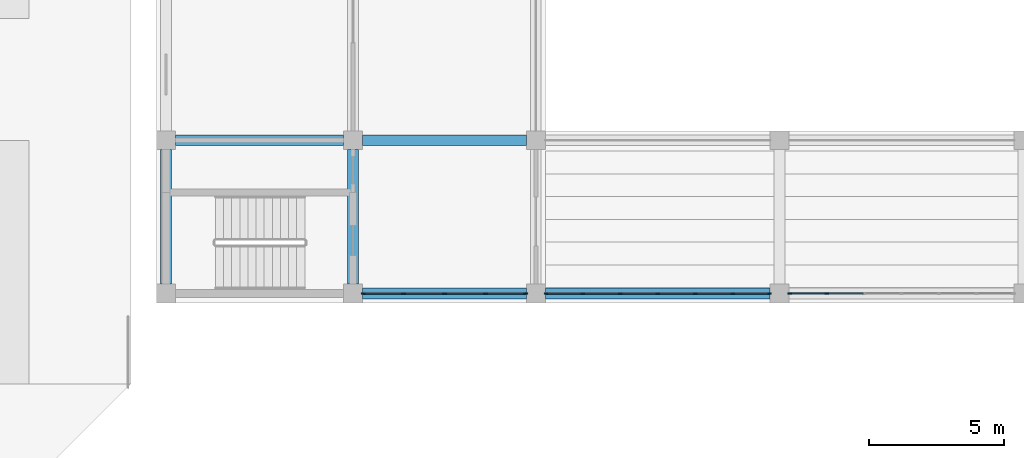
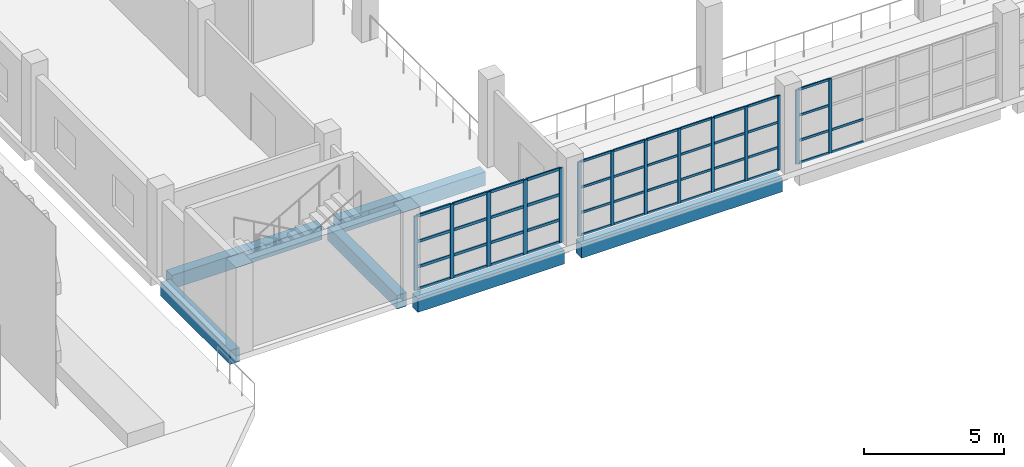
# One storey, part 2 of 36: 60 members, 6 beams, 3 elements without a shape of their own.
"""IFC4 building model written with IfcOpenShell, lengths in metres."""

from ifc_helpers import new_model, si_unit, direction, frame, origin, origin_2d, place, context, subcontext, project, spatial, rectangle, extrude, material, layer, layer_set, material_profile, profile_set, type_object, element, aggregate, save


model = new_model("IFC4")

# Units and contexts
model_context = context("Model", 3, precision=1e-05, world=origin(), true_north=direction((0.0, 1.0)))
body_context = subcontext(model_context, "Body", "Model", "MODEL_VIEW")
ifc_project = project(units=[si_unit("LENGTHUNIT", "METRE"), si_unit("AREAUNIT", "SQUARE_METRE"), si_unit("VOLUMEUNIT", "CUBIC_METRE"), si_unit("PLANEANGLEUNIT", "RADIAN"), si_unit("MASSUNIT", "GRAM", prefix="KILO")], contexts=[model_context])

# Site, building, storey
site_placement = place(None, origin())
site = spatial("IfcSite", under=ifc_project, at=site_placement, CompositionType="ELEMENT")
building_placement = place(site_placement, origin())
building = spatial("IfcBuilding", under=site, at=building_placement, Name="Corbel Stack Research Tower", CompositionType="ELEMENT")
storey_placement = place(building_placement, frame((0.0, 0.0, 7.199951171875)))
storey = spatial("IfcBuildingStorey", under=building, at=storey_placement, Name="L01", CompositionType="ELEMENT", Elevation=7.199951171875)

# Curtain wall, members
ifc_material_1 = material(Name="Aluminium", Category="aluminium")
ifc_layer_1 = layer(ifc_material_1, 0.14990234375)
ifc_layer_set_1 = layer_set([ifc_layer_1], Name="Aluminium")
curtain_wall_type_1 = type_object("IfcCurtainWallType", Name="CW5 main facade curtain wall", PredefinedType="NOTDEFINED", material=ifc_layer_set_1)
curtain_wall_1_placement = place(storey_placement, origin())
curtain_wall_1 = element("IfcCurtainWall", 1, at=curtain_wall_1_placement, inside=storey, type_object=curtain_wall_type_1, Name="Main facade curtain wall L01 1", PredefinedType="NOTDEFINED")
ifc_material_2 = material(Name="Aluminium", Category="aluminium")
ifc_material_profile_1 = material_profile(ifc_material_2, rectangle(XDim=0.06005859375, YDim=0.159912109375, at=origin_2d()), Name="Mullion 60 x 160")
ifc_profile_set_1 = profile_set([ifc_material_profile_1], Name="Aluminium")
member_type_1 = type_object("IfcMemberType", Name="CW5 mullion 60 x 160", PredefinedType="MULLION", material=ifc_profile_set_1)
member_1_placement = place(storey_placement, frame((44.580078125, -23.64990234375, 0.0), z_axis=(0.0, 0.0, 1.0), x_axis=(0.0, 1.0, 0.0)))
member_1 = element("IfcMember", 2, at=member_1_placement, type_object=member_type_1, Name="CW5 mullion 1", PredefinedType="MULLION", context=body_context, shape_type="SweptSolid", body=[
    extrude(rectangle(XDim=0.06005859375, YDim=0.159912109375, at=origin_2d()), origin(), (0.0, 0.0, 1.0), 3.25),
])
member_2_placement = place(storey_placement, frame((46.0625, -23.64990234375, 0.0), z_axis=(0.0, 0.0, 1.0), x_axis=(0.0, 1.0, 0.0)))
member_2 = element("IfcMember", 3, at=member_2_placement, type_object=member_type_1, Name="CW5 mullion 2", PredefinedType="MULLION", context=body_context, shape_type="SweptSolid", body=[
    extrude(rectangle(XDim=0.06005859375, YDim=0.159912109375, at=origin_2d()), origin(), (0.0, 0.0, 1.0), 3.25),
])
member_3_placement = place(storey_placement, frame((47.574951171875, -23.64990234375, 0.0), z_axis=(0.0, 0.0, 1.0), x_axis=(0.0, 1.0, 0.0)))
member_3 = element("IfcMember", 4, at=member_3_placement, type_object=member_type_1, Name="CW5 mullion 3", PredefinedType="MULLION", context=body_context, shape_type="SweptSolid", body=[
    extrude(rectangle(XDim=0.06005859375, YDim=0.159912109375, at=origin_2d()), origin(), (0.0, 0.0, 1.0), 3.25),
])
member_4_placement = place(storey_placement, frame((49.08740234375, -23.64990234375, 0.0), z_axis=(0.0, 0.0, 1.0), x_axis=(0.0, 1.0, 0.0)))
member_4 = element("IfcMember", 5, at=member_4_placement, type_object=member_type_1, Name="CW5 mullion 4", PredefinedType="MULLION", context=body_context, shape_type="SweptSolid", body=[
    extrude(rectangle(XDim=0.06005859375, YDim=0.159912109375, at=origin_2d()), origin(), (0.0, 0.0, 1.0), 3.25),
])
member_5_placement = place(storey_placement, frame((50.570068359375, -23.64990234375, 0.0), z_axis=(0.0, 0.0, 1.0), x_axis=(0.0, 1.0, 0.0)))
member_5 = element("IfcMember", 6, at=member_5_placement, type_object=member_type_1, Name="CW5 mullion 5", PredefinedType="MULLION", context=body_context, shape_type="SweptSolid", body=[
    extrude(rectangle(XDim=0.06005859375, YDim=0.159912109375, at=origin_2d()), origin(), (0.0, 0.0, 1.0), 3.25),
])
ifc_material_3 = material(Name="Aluminium", Category="aluminium")
ifc_material_profile_2 = material_profile(ifc_material_3, rectangle(XDim=0.06005859375, YDim=0.1201171875, at=origin_2d()), Name="Transom 60 x 120")
ifc_profile_set_2 = profile_set([ifc_material_profile_2], Name="Aluminium")
member_type_2 = type_object("IfcMemberType", Name="CW5 transom 60 x 120", PredefinedType="USERDEFINED", material=ifc_profile_set_2)
member_6_placement = place(storey_placement, frame((44.610107421875, -23.64990234375, 0.030029296875), z_axis=(1.0, 0.0, 0.0), x_axis=(0.0, 1.0, 0.0)))
member_6 = element("IfcMember", 7, at=member_6_placement, type_object=member_type_2, Name="CW5 transom 1.1", ObjectType="TRANSOM", PredefinedType="USERDEFINED", context=body_context, shape_type="SweptSolid", body=[
    extrude(rectangle(XDim=0.06005859375, YDim=0.1201171875, at=origin_2d()), origin(), (0.0, 0.0, 1.0), 1.42236328125),
])
member_7_placement = place(storey_placement, frame((44.610107421875, -23.64990234375, 1.0), z_axis=(1.0, 0.0, 0.0), x_axis=(0.0, 1.0, 0.0)))
member_7 = element("IfcMember", 8, at=member_7_placement, type_object=member_type_2, Name="CW5 transom 1.2", ObjectType="TRANSOM", PredefinedType="USERDEFINED", context=body_context, shape_type="SweptSolid", body=[
    extrude(rectangle(XDim=0.06005859375, YDim=0.1201171875, at=origin_2d()), origin(), (0.0, 0.0, 1.0), 1.42236328125),
])
member_8_placement = place(storey_placement, frame((44.610107421875, -23.64990234375, 2.10009765625), z_axis=(1.0, 0.0, 0.0), x_axis=(0.0, 1.0, 0.0)))
member_8 = element("IfcMember", 9, at=member_8_placement, type_object=member_type_2, Name="CW5 transom 1.3", ObjectType="TRANSOM", PredefinedType="USERDEFINED", context=body_context, shape_type="SweptSolid", body=[
    extrude(rectangle(XDim=0.06005859375, YDim=0.1201171875, at=origin_2d()), origin(), (0.0, 0.0, 1.0), 1.42236328125),
])
member_9_placement = place(storey_placement, frame((44.610107421875, -23.64990234375, 3.219970703125), z_axis=(1.0, 0.0, 0.0), x_axis=(0.0, 1.0, 0.0)))
member_9 = element("IfcMember", 10, at=member_9_placement, type_object=member_type_2, Name="CW5 transom 1.4", ObjectType="TRANSOM", PredefinedType="USERDEFINED", context=body_context, shape_type="SweptSolid", body=[
    extrude(rectangle(XDim=0.06005859375, YDim=0.1201171875, at=origin_2d()), origin(), (0.0, 0.0, 1.0), 1.42236328125),
])
member_10_placement = place(storey_placement, frame((46.092529296875, -23.64990234375, 0.030029296875), z_axis=(1.0, 0.0, 0.0), x_axis=(0.0, 1.0, 0.0)))
member_10 = element("IfcMember", 11, at=member_10_placement, type_object=member_type_2, Name="CW5 transom 2.1", ObjectType="TRANSOM", PredefinedType="USERDEFINED", context=body_context, shape_type="SweptSolid", body=[
    extrude(rectangle(XDim=0.06005859375, YDim=0.1201171875, at=origin_2d()), origin(), (0.0, 0.0, 1.0), 1.452392578125),
])
member_11_placement = place(storey_placement, frame((46.092529296875, -23.64990234375, 1.0), z_axis=(1.0, 0.0, 0.0), x_axis=(0.0, 1.0, 0.0)))
member_11 = element("IfcMember", 12, at=member_11_placement, type_object=member_type_2, Name="CW5 transom 2.2", ObjectType="TRANSOM", PredefinedType="USERDEFINED", context=body_context, shape_type="SweptSolid", body=[
    extrude(rectangle(XDim=0.06005859375, YDim=0.1201171875, at=origin_2d()), origin(), (0.0, 0.0, 1.0), 1.452392578125),
])
member_12_placement = place(storey_placement, frame((46.092529296875, -23.64990234375, 2.10009765625), z_axis=(1.0, 0.0, 0.0), x_axis=(0.0, 1.0, 0.0)))
member_12 = element("IfcMember", 13, at=member_12_placement, type_object=member_type_2, Name="CW5 transom 2.3", ObjectType="TRANSOM", PredefinedType="USERDEFINED", context=body_context, shape_type="SweptSolid", body=[
    extrude(rectangle(XDim=0.06005859375, YDim=0.1201171875, at=origin_2d()), origin(), (0.0, 0.0, 1.0), 1.452392578125),
])
member_13_placement = place(storey_placement, frame((46.092529296875, -23.64990234375, 3.219970703125), z_axis=(1.0, 0.0, 0.0), x_axis=(0.0, 1.0, 0.0)))
member_13 = element("IfcMember", 14, at=member_13_placement, type_object=member_type_2, Name="CW5 transom 2.4", ObjectType="TRANSOM", PredefinedType="USERDEFINED", context=body_context, shape_type="SweptSolid", body=[
    extrude(rectangle(XDim=0.06005859375, YDim=0.1201171875, at=origin_2d()), origin(), (0.0, 0.0, 1.0), 1.452392578125),
])
member_14_placement = place(storey_placement, frame((47.60498046875, -23.64990234375, 0.030029296875), z_axis=(1.0, 0.0, 0.0), x_axis=(0.0, 1.0, 0.0)))
member_14 = element("IfcMember", 15, at=member_14_placement, type_object=member_type_2, Name="CW5 transom 3.1", ObjectType="TRANSOM", PredefinedType="USERDEFINED", context=body_context, shape_type="SweptSolid", body=[
    extrude(rectangle(XDim=0.06005859375, YDim=0.1201171875, at=origin_2d()), origin(), (0.0, 0.0, 1.0), 1.45263671875),
])
member_15_placement = place(storey_placement, frame((47.60498046875, -23.64990234375, 1.0), z_axis=(1.0, 0.0, 0.0), x_axis=(0.0, 1.0, 0.0)))
member_15 = element("IfcMember", 16, at=member_15_placement, type_object=member_type_2, Name="CW5 transom 3.2", ObjectType="TRANSOM", PredefinedType="USERDEFINED", context=body_context, shape_type="SweptSolid", body=[
    extrude(rectangle(XDim=0.06005859375, YDim=0.1201171875, at=origin_2d()), origin(), (0.0, 0.0, 1.0), 1.45263671875),
])
member_16_placement = place(storey_placement, frame((47.60498046875, -23.64990234375, 2.10009765625), z_axis=(1.0, 0.0, 0.0), x_axis=(0.0, 1.0, 0.0)))
member_16 = element("IfcMember", 17, at=member_16_placement, type_object=member_type_2, Name="CW5 transom 3.3", ObjectType="TRANSOM", PredefinedType="USERDEFINED", context=body_context, shape_type="SweptSolid", body=[
    extrude(rectangle(XDim=0.06005859375, YDim=0.1201171875, at=origin_2d()), origin(), (0.0, 0.0, 1.0), 1.45263671875),
])
member_17_placement = place(storey_placement, frame((47.60498046875, -23.64990234375, 3.219970703125), z_axis=(1.0, 0.0, 0.0), x_axis=(0.0, 1.0, 0.0)))
member_17 = element("IfcMember", 18, at=member_17_placement, type_object=member_type_2, Name="CW5 transom 3.4", ObjectType="TRANSOM", PredefinedType="USERDEFINED", context=body_context, shape_type="SweptSolid", body=[
    extrude(rectangle(XDim=0.06005859375, YDim=0.1201171875, at=origin_2d()), origin(), (0.0, 0.0, 1.0), 1.45263671875),
])
member_18_placement = place(storey_placement, frame((49.117431640625, -23.64990234375, 0.030029296875), z_axis=(1.0, 0.0, 0.0), x_axis=(0.0, 1.0, 0.0)))
member_18 = element("IfcMember", 19, at=member_18_placement, type_object=member_type_2, Name="CW5 transom 4.1", ObjectType="TRANSOM", PredefinedType="USERDEFINED", context=body_context, shape_type="SweptSolid", body=[
    extrude(rectangle(XDim=0.06005859375, YDim=0.1201171875, at=origin_2d()), origin(), (0.0, 0.0, 1.0), 1.422607421875),
])
member_19_placement = place(storey_placement, frame((49.117431640625, -23.64990234375, 1.0), z_axis=(1.0, 0.0, 0.0), x_axis=(0.0, 1.0, 0.0)))
member_19 = element("IfcMember", 20, at=member_19_placement, type_object=member_type_2, Name="CW5 transom 4.2", ObjectType="TRANSOM", PredefinedType="USERDEFINED", context=body_context, shape_type="SweptSolid", body=[
    extrude(rectangle(XDim=0.06005859375, YDim=0.1201171875, at=origin_2d()), origin(), (0.0, 0.0, 1.0), 1.422607421875),
])
member_20_placement = place(storey_placement, frame((49.117431640625, -23.64990234375, 2.10009765625), z_axis=(1.0, 0.0, 0.0), x_axis=(0.0, 1.0, 0.0)))
member_20 = element("IfcMember", 21, at=member_20_placement, type_object=member_type_2, Name="CW5 transom 4.3", ObjectType="TRANSOM", PredefinedType="USERDEFINED", context=body_context, shape_type="SweptSolid", body=[
    extrude(rectangle(XDim=0.06005859375, YDim=0.1201171875, at=origin_2d()), origin(), (0.0, 0.0, 1.0), 1.422607421875),
])
member_21_placement = place(storey_placement, frame((49.117431640625, -23.64990234375, 3.219970703125), z_axis=(1.0, 0.0, 0.0), x_axis=(0.0, 1.0, 0.0)))
member_21 = element("IfcMember", 22, at=member_21_placement, type_object=member_type_2, Name="CW5 transom 4.4", ObjectType="TRANSOM", PredefinedType="USERDEFINED", context=body_context, shape_type="SweptSolid", body=[
    extrude(rectangle(XDim=0.06005859375, YDim=0.1201171875, at=origin_2d()), origin(), (0.0, 0.0, 1.0), 1.422607421875),
])
aggregate(curtain_wall_1, [member_1, member_2, member_3, member_4, member_5, member_6, member_7, member_8, member_9, member_10, member_11, member_12, member_13, member_14, member_15, member_16, member_17, member_18, member_19, member_20, member_21])

ifc_material_4 = material(Name="Aluminium", Category="aluminium")
ifc_layer_2 = layer(ifc_material_4, 0.139892578125)
ifc_layer_set_2 = layer_set([ifc_layer_2], Name="Aluminium")
curtain_wall_type_2 = type_object("IfcCurtainWallType", Name="CW6 gallery curtain wall", PredefinedType="NOTDEFINED", material=ifc_layer_set_2)
curtain_wall_2_placement = place(storey_placement, origin())
curtain_wall_2 = element("IfcCurtainWall", 23, at=curtain_wall_2_placement, inside=storey, type_object=curtain_wall_type_2, Name="Gallery curtain wall L01 5", PredefinedType="NOTDEFINED")
ifc_material_5 = material(Name="Aluminium", Category="aluminium")
ifc_material_profile_3 = material_profile(ifc_material_5, rectangle(XDim=0.050048828125, YDim=0.139892578125, at=origin_2d()), Name="Mullion 50 x 140")
ifc_profile_set_3 = profile_set([ifc_material_profile_3], Name="Aluminium")
member_type_3 = type_object("IfcMemberType", Name="CW6 mullion 50 x 140", PredefinedType="MULLION", material=ifc_profile_set_3)
member_22_placement = place(storey_placement, frame((51.324951171875, -23.64990234375, 0.0), z_axis=(0.0, 0.0, 1.0), x_axis=(0.0, 1.0, 0.0)))
member_22 = element("IfcMember", 24, at=member_22_placement, type_object=member_type_3, Name="CW6 mullion 1", PredefinedType="MULLION", context=body_context, shape_type="SweptSolid", body=[
    extrude(rectangle(XDim=0.050048828125, YDim=0.139892578125, at=origin_2d()), origin(), (0.0, 0.0, 1.0), 3.25),
])
member_23_placement = place(storey_placement, frame((52.683349609375, -23.64990234375, 0.0), z_axis=(0.0, 0.0, 1.0), x_axis=(0.0, 1.0, 0.0)))
member_23 = element("IfcMember", 25, at=member_23_placement, type_object=member_type_3, Name="CW6 mullion 2", PredefinedType="MULLION", context=body_context, shape_type="SweptSolid", body=[
    extrude(rectangle(XDim=0.050048828125, YDim=0.139892578125, at=origin_2d()), origin(), (0.0, 0.0, 1.0), 3.25),
])
member_24_placement = place(storey_placement, frame((54.066650390625, -23.64990234375, 0.0), z_axis=(0.0, 0.0, 1.0), x_axis=(0.0, 1.0, 0.0)))
member_24 = element("IfcMember", 26, at=member_24_placement, type_object=member_type_3, Name="CW6 mullion 3", PredefinedType="MULLION", context=body_context, shape_type="SweptSolid", body=[
    extrude(rectangle(XDim=0.050048828125, YDim=0.139892578125, at=origin_2d()), origin(), (0.0, 0.0, 1.0), 3.25),
])
member_25_placement = place(storey_placement, frame((55.449951171875, -23.64990234375, 0.0), z_axis=(0.0, 0.0, 1.0), x_axis=(0.0, 1.0, 0.0)))
member_25 = element("IfcMember", 27, at=member_25_placement, type_object=member_type_3, Name="CW6 mullion 4", PredefinedType="MULLION", context=body_context, shape_type="SweptSolid", body=[
    extrude(rectangle(XDim=0.050048828125, YDim=0.139892578125, at=origin_2d()), origin(), (0.0, 0.0, 1.0), 3.25),
])
member_26_placement = place(storey_placement, frame((56.833251953125, -23.64990234375, 0.0), z_axis=(0.0, 0.0, 1.0), x_axis=(0.0, 1.0, 0.0)))
member_26 = element("IfcMember", 28, at=member_26_placement, type_object=member_type_3, Name="CW6 mullion 5", PredefinedType="MULLION", context=body_context, shape_type="SweptSolid", body=[
    extrude(rectangle(XDim=0.050048828125, YDim=0.139892578125, at=origin_2d()), origin(), (0.0, 0.0, 1.0), 3.25),
])
member_27_placement = place(storey_placement, frame((58.216552734375, -23.64990234375, 0.0), z_axis=(0.0, 0.0, 1.0), x_axis=(0.0, 1.0, 0.0)))
member_27 = element("IfcMember", 29, at=member_27_placement, type_object=member_type_3, Name="CW6 mullion 6", PredefinedType="MULLION", context=body_context, shape_type="SweptSolid", body=[
    extrude(rectangle(XDim=0.050048828125, YDim=0.139892578125, at=origin_2d()), origin(), (0.0, 0.0, 1.0), 3.25),
])
member_28_placement = place(storey_placement, frame((59.574951171875, -23.64990234375, 0.0), z_axis=(0.0, 0.0, 1.0), x_axis=(0.0, 1.0, 0.0)))
member_28 = element("IfcMember", 30, at=member_28_placement, type_object=member_type_3, Name="CW6 mullion 7", PredefinedType="MULLION", context=body_context, shape_type="SweptSolid", body=[
    extrude(rectangle(XDim=0.050048828125, YDim=0.139892578125, at=origin_2d()), origin(), (0.0, 0.0, 1.0), 3.25),
])

curtain_wall_3_placement = place(storey_placement, origin())
curtain_wall_3 = element("IfcCurtainWall", 31, at=curtain_wall_3_placement, inside=storey, type_object=curtain_wall_type_2, Name="Gallery curtain wall L01 6", PredefinedType="NOTDEFINED")
member_29_placement = place(storey_placement, frame((60.324951171875, -23.64990234375, 0.0), z_axis=(0.0, 0.0, 1.0), x_axis=(0.0, 1.0, 0.0)))
member_29 = element("IfcMember", 32, at=member_29_placement, type_object=member_type_3, Name="CW6 mullion 1", PredefinedType="MULLION", context=body_context, shape_type="SweptSolid", body=[
    extrude(rectangle(XDim=0.050048828125, YDim=0.139892578125, at=origin_2d()), origin(), (0.0, 0.0, 1.0), 3.25),
])
member_30_placement = place(storey_placement, frame((61.683349609375, -23.64990234375, 0.0), z_axis=(0.0, 0.0, 1.0), x_axis=(0.0, 1.0, 0.0)))
member_30 = element("IfcMember", 33, at=member_30_placement, type_object=member_type_3, Name="CW6 mullion 2", PredefinedType="MULLION", context=body_context, shape_type="SweptSolid", body=[
    extrude(rectangle(XDim=0.050048828125, YDim=0.139892578125, at=origin_2d()), origin(), (0.0, 0.0, 1.0), 3.25),
])

# Member
ifc_material_6 = material(Name="Aluminium", Category="aluminium")
ifc_material_profile_4 = material_profile(ifc_material_6, rectangle(XDim=0.050048828125, YDim=0.10009765625, at=origin_2d()), Name="Transom 50 x 100")
ifc_profile_set_4 = profile_set([ifc_material_profile_4], Name="Aluminium")
member_type_4 = type_object("IfcMemberType", Name="CW6 transom 50 x 100", PredefinedType="USERDEFINED", material=ifc_profile_set_4)
member_31_placement = place(storey_placement, frame((51.35009765625, -23.64990234375, 0.025146484375), z_axis=(1.0, 0.0, 0.0), x_axis=(0.0, 1.0, 0.0)))
member_31 = element("IfcMember", 34, at=member_31_placement, type_object=member_type_4, Name="CW6 transom 1.1", ObjectType="TRANSOM", PredefinedType="USERDEFINED", context=body_context, shape_type="SweptSolid", body=[
    extrude(rectangle(XDim=0.050048828125, YDim=0.10009765625, at=origin_2d()), origin(), (0.0, 0.0, 1.0), 1.308349609375),
])

member_32_placement = place(storey_placement, frame((51.35009765625, -23.64990234375, 1.0), z_axis=(1.0, 0.0, 0.0), x_axis=(0.0, 1.0, 0.0)))
member_32 = element("IfcMember", 35, at=member_32_placement, type_object=member_type_4, Name="CW6 transom 1.2", ObjectType="TRANSOM", PredefinedType="USERDEFINED", context=body_context, shape_type="SweptSolid", body=[
    extrude(rectangle(XDim=0.050048828125, YDim=0.10009765625, at=origin_2d()), origin(), (0.0, 0.0, 1.0), 1.308349609375),
])

member_33_placement = place(storey_placement, frame((51.35009765625, -23.64990234375, 2.10009765625), z_axis=(1.0, 0.0, 0.0), x_axis=(0.0, 1.0, 0.0)))
member_33 = element("IfcMember", 36, at=member_33_placement, type_object=member_type_4, Name="CW6 transom 1.3", ObjectType="TRANSOM", PredefinedType="USERDEFINED", context=body_context, shape_type="SweptSolid", body=[
    extrude(rectangle(XDim=0.050048828125, YDim=0.10009765625, at=origin_2d()), origin(), (0.0, 0.0, 1.0), 1.308349609375),
])

member_34_placement = place(storey_placement, frame((51.35009765625, -23.64990234375, 3.22509765625), z_axis=(1.0, 0.0, 0.0), x_axis=(0.0, 1.0, 0.0)))
member_34 = element("IfcMember", 37, at=member_34_placement, type_object=member_type_4, Name="CW6 transom 1.4", ObjectType="TRANSOM", PredefinedType="USERDEFINED", context=body_context, shape_type="SweptSolid", body=[
    extrude(rectangle(XDim=0.050048828125, YDim=0.10009765625, at=origin_2d()), origin(), (0.0, 0.0, 1.0), 1.308349609375),
])

member_35_placement = place(storey_placement, frame((52.708251953125, -23.64990234375, 0.025146484375), z_axis=(1.0, 0.0, 0.0), x_axis=(0.0, 1.0, 0.0)))
member_35 = element("IfcMember", 38, at=member_35_placement, type_object=member_type_4, Name="CW6 transom 2.1", ObjectType="TRANSOM", PredefinedType="USERDEFINED", context=body_context, shape_type="SweptSolid", body=[
    extrude(rectangle(XDim=0.050048828125, YDim=0.10009765625, at=origin_2d()), origin(), (0.0, 0.0, 1.0), 1.33349609375),
])

member_36_placement = place(storey_placement, frame((52.708251953125, -23.64990234375, 1.0), z_axis=(1.0, 0.0, 0.0), x_axis=(0.0, 1.0, 0.0)))
member_36 = element("IfcMember", 39, at=member_36_placement, type_object=member_type_4, Name="CW6 transom 2.2", ObjectType="TRANSOM", PredefinedType="USERDEFINED", context=body_context, shape_type="SweptSolid", body=[
    extrude(rectangle(XDim=0.050048828125, YDim=0.10009765625, at=origin_2d()), origin(), (0.0, 0.0, 1.0), 1.33349609375),
])

member_37_placement = place(storey_placement, frame((52.708251953125, -23.64990234375, 2.10009765625), z_axis=(1.0, 0.0, 0.0), x_axis=(0.0, 1.0, 0.0)))
member_37 = element("IfcMember", 40, at=member_37_placement, type_object=member_type_4, Name="CW6 transom 2.3", ObjectType="TRANSOM", PredefinedType="USERDEFINED", context=body_context, shape_type="SweptSolid", body=[
    extrude(rectangle(XDim=0.050048828125, YDim=0.10009765625, at=origin_2d()), origin(), (0.0, 0.0, 1.0), 1.33349609375),
])

member_38_placement = place(storey_placement, frame((52.708251953125, -23.64990234375, 3.22509765625), z_axis=(1.0, 0.0, 0.0), x_axis=(0.0, 1.0, 0.0)))
member_38 = element("IfcMember", 41, at=member_38_placement, type_object=member_type_4, Name="CW6 transom 2.4", ObjectType="TRANSOM", PredefinedType="USERDEFINED", context=body_context, shape_type="SweptSolid", body=[
    extrude(rectangle(XDim=0.050048828125, YDim=0.10009765625, at=origin_2d()), origin(), (0.0, 0.0, 1.0), 1.33349609375),
])

member_39_placement = place(storey_placement, frame((54.091552734375, -23.64990234375, 0.025146484375), z_axis=(1.0, 0.0, 0.0), x_axis=(0.0, 1.0, 0.0)))
member_39 = element("IfcMember", 42, at=member_39_placement, type_object=member_type_4, Name="CW6 transom 3.1", ObjectType="TRANSOM", PredefinedType="USERDEFINED", context=body_context, shape_type="SweptSolid", body=[
    extrude(rectangle(XDim=0.050048828125, YDim=0.10009765625, at=origin_2d()), origin(), (0.0, 0.0, 1.0), 1.33349609375),
])

member_40_placement = place(storey_placement, frame((54.091552734375, -23.64990234375, 1.0), z_axis=(1.0, 0.0, 0.0), x_axis=(0.0, 1.0, 0.0)))
member_40 = element("IfcMember", 43, at=member_40_placement, type_object=member_type_4, Name="CW6 transom 3.2", ObjectType="TRANSOM", PredefinedType="USERDEFINED", context=body_context, shape_type="SweptSolid", body=[
    extrude(rectangle(XDim=0.050048828125, YDim=0.10009765625, at=origin_2d()), origin(), (0.0, 0.0, 1.0), 1.33349609375),
])

member_41_placement = place(storey_placement, frame((54.091552734375, -23.64990234375, 2.10009765625), z_axis=(1.0, 0.0, 0.0), x_axis=(0.0, 1.0, 0.0)))
member_41 = element("IfcMember", 44, at=member_41_placement, type_object=member_type_4, Name="CW6 transom 3.3", ObjectType="TRANSOM", PredefinedType="USERDEFINED", context=body_context, shape_type="SweptSolid", body=[
    extrude(rectangle(XDim=0.050048828125, YDim=0.10009765625, at=origin_2d()), origin(), (0.0, 0.0, 1.0), 1.33349609375),
])

member_42_placement = place(storey_placement, frame((54.091552734375, -23.64990234375, 3.22509765625), z_axis=(1.0, 0.0, 0.0), x_axis=(0.0, 1.0, 0.0)))
member_42 = element("IfcMember", 45, at=member_42_placement, type_object=member_type_4, Name="CW6 transom 3.4", ObjectType="TRANSOM", PredefinedType="USERDEFINED", context=body_context, shape_type="SweptSolid", body=[
    extrude(rectangle(XDim=0.050048828125, YDim=0.10009765625, at=origin_2d()), origin(), (0.0, 0.0, 1.0), 1.33349609375),
])

member_43_placement = place(storey_placement, frame((55.47509765625, -23.64990234375, 0.025146484375), z_axis=(1.0, 0.0, 0.0), x_axis=(0.0, 1.0, 0.0)))
member_43 = element("IfcMember", 46, at=member_43_placement, type_object=member_type_4, Name="CW6 transom 4.1", ObjectType="TRANSOM", PredefinedType="USERDEFINED", context=body_context, shape_type="SweptSolid", body=[
    extrude(rectangle(XDim=0.050048828125, YDim=0.10009765625, at=origin_2d()), origin(), (0.0, 0.0, 1.0), 1.333251953125),
])

member_44_placement = place(storey_placement, frame((55.47509765625, -23.64990234375, 1.0), z_axis=(1.0, 0.0, 0.0), x_axis=(0.0, 1.0, 0.0)))
member_44 = element("IfcMember", 47, at=member_44_placement, type_object=member_type_4, Name="CW6 transom 4.2", ObjectType="TRANSOM", PredefinedType="USERDEFINED", context=body_context, shape_type="SweptSolid", body=[
    extrude(rectangle(XDim=0.050048828125, YDim=0.10009765625, at=origin_2d()), origin(), (0.0, 0.0, 1.0), 1.333251953125),
])

member_45_placement = place(storey_placement, frame((55.47509765625, -23.64990234375, 2.10009765625), z_axis=(1.0, 0.0, 0.0), x_axis=(0.0, 1.0, 0.0)))
member_45 = element("IfcMember", 48, at=member_45_placement, type_object=member_type_4, Name="CW6 transom 4.3", ObjectType="TRANSOM", PredefinedType="USERDEFINED", context=body_context, shape_type="SweptSolid", body=[
    extrude(rectangle(XDim=0.050048828125, YDim=0.10009765625, at=origin_2d()), origin(), (0.0, 0.0, 1.0), 1.333251953125),
])

member_46_placement = place(storey_placement, frame((55.47509765625, -23.64990234375, 3.22509765625), z_axis=(1.0, 0.0, 0.0), x_axis=(0.0, 1.0, 0.0)))
member_46 = element("IfcMember", 49, at=member_46_placement, type_object=member_type_4, Name="CW6 transom 4.4", ObjectType="TRANSOM", PredefinedType="USERDEFINED", context=body_context, shape_type="SweptSolid", body=[
    extrude(rectangle(XDim=0.050048828125, YDim=0.10009765625, at=origin_2d()), origin(), (0.0, 0.0, 1.0), 1.333251953125),
])

member_47_placement = place(storey_placement, frame((56.8583984375, -23.64990234375, 0.025146484375), z_axis=(1.0, 0.0, 0.0), x_axis=(0.0, 1.0, 0.0)))
member_47 = element("IfcMember", 50, at=member_47_placement, type_object=member_type_4, Name="CW6 transom 5.1", ObjectType="TRANSOM", PredefinedType="USERDEFINED", context=body_context, shape_type="SweptSolid", body=[
    extrude(rectangle(XDim=0.050048828125, YDim=0.10009765625, at=origin_2d()), origin(), (0.0, 0.0, 1.0), 1.333251953125),
])

member_48_placement = place(storey_placement, frame((56.8583984375, -23.64990234375, 1.0), z_axis=(1.0, 0.0, 0.0), x_axis=(0.0, 1.0, 0.0)))
member_48 = element("IfcMember", 51, at=member_48_placement, type_object=member_type_4, Name="CW6 transom 5.2", ObjectType="TRANSOM", PredefinedType="USERDEFINED", context=body_context, shape_type="SweptSolid", body=[
    extrude(rectangle(XDim=0.050048828125, YDim=0.10009765625, at=origin_2d()), origin(), (0.0, 0.0, 1.0), 1.333251953125),
])

member_49_placement = place(storey_placement, frame((56.8583984375, -23.64990234375, 2.10009765625), z_axis=(1.0, 0.0, 0.0), x_axis=(0.0, 1.0, 0.0)))
member_49 = element("IfcMember", 52, at=member_49_placement, type_object=member_type_4, Name="CW6 transom 5.3", ObjectType="TRANSOM", PredefinedType="USERDEFINED", context=body_context, shape_type="SweptSolid", body=[
    extrude(rectangle(XDim=0.050048828125, YDim=0.10009765625, at=origin_2d()), origin(), (0.0, 0.0, 1.0), 1.333251953125),
])

member_50_placement = place(storey_placement, frame((56.8583984375, -23.64990234375, 3.22509765625), z_axis=(1.0, 0.0, 0.0), x_axis=(0.0, 1.0, 0.0)))
member_50 = element("IfcMember", 53, at=member_50_placement, type_object=member_type_4, Name="CW6 transom 5.4", ObjectType="TRANSOM", PredefinedType="USERDEFINED", context=body_context, shape_type="SweptSolid", body=[
    extrude(rectangle(XDim=0.050048828125, YDim=0.10009765625, at=origin_2d()), origin(), (0.0, 0.0, 1.0), 1.333251953125),
])

member_51_placement = place(storey_placement, frame((58.24169921875, -23.64990234375, 0.025146484375), z_axis=(1.0, 0.0, 0.0), x_axis=(0.0, 1.0, 0.0)))
member_51 = element("IfcMember", 54, at=member_51_placement, type_object=member_type_4, Name="CW6 transom 6.1", ObjectType="TRANSOM", PredefinedType="USERDEFINED", context=body_context, shape_type="SweptSolid", body=[
    extrude(rectangle(XDim=0.050048828125, YDim=0.10009765625, at=origin_2d()), origin(), (0.0, 0.0, 1.0), 1.308349609375),
])

member_52_placement = place(storey_placement, frame((58.24169921875, -23.64990234375, 1.0), z_axis=(1.0, 0.0, 0.0), x_axis=(0.0, 1.0, 0.0)))
member_52 = element("IfcMember", 55, at=member_52_placement, type_object=member_type_4, Name="CW6 transom 6.2", ObjectType="TRANSOM", PredefinedType="USERDEFINED", context=body_context, shape_type="SweptSolid", body=[
    extrude(rectangle(XDim=0.050048828125, YDim=0.10009765625, at=origin_2d()), origin(), (0.0, 0.0, 1.0), 1.308349609375),
])

member_53_placement = place(storey_placement, frame((58.24169921875, -23.64990234375, 2.10009765625), z_axis=(1.0, 0.0, 0.0), x_axis=(0.0, 1.0, 0.0)))
member_53 = element("IfcMember", 56, at=member_53_placement, type_object=member_type_4, Name="CW6 transom 6.3", ObjectType="TRANSOM", PredefinedType="USERDEFINED", context=body_context, shape_type="SweptSolid", body=[
    extrude(rectangle(XDim=0.050048828125, YDim=0.10009765625, at=origin_2d()), origin(), (0.0, 0.0, 1.0), 1.308349609375),
])

member_54_placement = place(storey_placement, frame((58.24169921875, -23.64990234375, 3.22509765625), z_axis=(1.0, 0.0, 0.0), x_axis=(0.0, 1.0, 0.0)))
member_54 = element("IfcMember", 57, at=member_54_placement, type_object=member_type_4, Name="CW6 transom 6.4", ObjectType="TRANSOM", PredefinedType="USERDEFINED", context=body_context, shape_type="SweptSolid", body=[
    extrude(rectangle(XDim=0.050048828125, YDim=0.10009765625, at=origin_2d()), origin(), (0.0, 0.0, 1.0), 1.308349609375),
])

aggregate(curtain_wall_2, [member_22, member_23, member_24, member_25, member_26, member_27, member_28, member_31, member_32, member_33, member_34, member_35, member_36, member_37, member_38, member_39, member_40, member_41, member_42, member_43, member_44, member_45, member_46, member_47, member_48, member_49, member_50, member_51, member_52, member_53, member_54])

member_55_placement = place(storey_placement, frame((60.35009765625, -23.64990234375, 0.025146484375), z_axis=(1.0, 0.0, 0.0), x_axis=(0.0, 1.0, 0.0)))
member_55 = element("IfcMember", 58, at=member_55_placement, type_object=member_type_4, Name="CW6 transom 1.1", ObjectType="TRANSOM", PredefinedType="USERDEFINED", context=body_context, shape_type="SweptSolid", body=[
    extrude(rectangle(XDim=0.050048828125, YDim=0.10009765625, at=origin_2d()), origin(), (0.0, 0.0, 1.0), 1.308349609375),
])

member_56_placement = place(storey_placement, frame((60.35009765625, -23.64990234375, 1.0), z_axis=(1.0, 0.0, 0.0), x_axis=(0.0, 1.0, 0.0)))
member_56 = element("IfcMember", 59, at=member_56_placement, type_object=member_type_4, Name="CW6 transom 1.2", ObjectType="TRANSOM", PredefinedType="USERDEFINED", context=body_context, shape_type="SweptSolid", body=[
    extrude(rectangle(XDim=0.050048828125, YDim=0.10009765625, at=origin_2d()), origin(), (0.0, 0.0, 1.0), 1.308349609375),
])

member_57_placement = place(storey_placement, frame((60.35009765625, -23.64990234375, 2.10009765625), z_axis=(1.0, 0.0, 0.0), x_axis=(0.0, 1.0, 0.0)))
member_57 = element("IfcMember", 60, at=member_57_placement, type_object=member_type_4, Name="CW6 transom 1.3", ObjectType="TRANSOM", PredefinedType="USERDEFINED", context=body_context, shape_type="SweptSolid", body=[
    extrude(rectangle(XDim=0.050048828125, YDim=0.10009765625, at=origin_2d()), origin(), (0.0, 0.0, 1.0), 1.308349609375),
])

member_58_placement = place(storey_placement, frame((60.35009765625, -23.64990234375, 3.22509765625), z_axis=(1.0, 0.0, 0.0), x_axis=(0.0, 1.0, 0.0)))
member_58 = element("IfcMember", 61, at=member_58_placement, type_object=member_type_4, Name="CW6 transom 1.4", ObjectType="TRANSOM", PredefinedType="USERDEFINED", context=body_context, shape_type="SweptSolid", body=[
    extrude(rectangle(XDim=0.050048828125, YDim=0.10009765625, at=origin_2d()), origin(), (0.0, 0.0, 1.0), 1.308349609375),
])

member_59_placement = place(storey_placement, frame((61.708251953125, -23.64990234375, 0.025146484375), z_axis=(1.0, 0.0, 0.0), x_axis=(0.0, 1.0, 0.0)))
member_59 = element("IfcMember", 62, at=member_59_placement, type_object=member_type_4, Name="CW6 transom 2.1", ObjectType="TRANSOM", PredefinedType="USERDEFINED", context=body_context, shape_type="SweptSolid", body=[
    extrude(rectangle(XDim=0.050048828125, YDim=0.10009765625, at=origin_2d()), origin(), (0.0, 0.0, 1.0), 1.33349609375),
])

member_60_placement = place(storey_placement, frame((61.708251953125, -23.64990234375, 1.0), z_axis=(1.0, 0.0, 0.0), x_axis=(0.0, 1.0, 0.0)))
member_60 = element("IfcMember", 63, at=member_60_placement, type_object=member_type_4, Name="CW6 transom 2.2", ObjectType="TRANSOM", PredefinedType="USERDEFINED", context=body_context, shape_type="SweptSolid", body=[
    extrude(rectangle(XDim=0.050048828125, YDim=0.10009765625, at=origin_2d()), origin(), (0.0, 0.0, 1.0), 1.33349609375),
])

aggregate(curtain_wall_3, [member_29, member_30, member_55, member_56, member_57, member_58, member_59, member_60])

# Beams
ifc_material_7 = material(Name="Concrete C40/50", Category="concrete")
ifc_material_profile_5 = material_profile(ifc_material_7, rectangle(XDim=0.39990234375, YDim=0.60009765625, at=origin_2d()), Name="RC 400 x 600")
ifc_profile_set_5 = profile_set([ifc_material_profile_5], Name="Concrete C40/50")
beam_type = type_object("IfcBeamType", Name="HB1 RC beam 400 x 600", PredefinedType="BEAM", material=ifc_profile_set_5)
beam_1_placement = place(storey_placement, frame((37.300048828125, -23.300048828125, -0.550048828125), z_axis=(0.0, 1.0, 0.0), x_axis=(-1.0, 0.0, 0.0)))
element("IfcBeam", 64, at=beam_1_placement, inside=storey, type_object=beam_type, Name="Floor beam L01 H1HA-H1HB", PredefinedType="BEAM", context=body_context, shape_type="SweptSolid", body=[
    extrude(rectangle(XDim=0.39990234375, YDim=0.60009765625, at=origin_2d()), origin(), (0.0, 0.0, 1.0), 4.949951171875),
])
beam_2_placement = place(storey_placement, frame((37.64990234375, -18.0, -0.550048828125), z_axis=(1.0, 0.0, 0.0), x_axis=(0.0, 1.0, 0.0)))
element("IfcBeam", 65, at=beam_2_placement, inside=storey, type_object=beam_type, Name="Floor beam L01 H1HB-H2HB", PredefinedType="BEAM", context=body_context, shape_type="SweptSolid", body=[
    extrude(rectangle(XDim=0.39990234375, YDim=0.60009765625, at=origin_2d()), origin(), (0.0, 0.0, 1.0), 6.2001953125),
])
beam_3_placement = place(storey_placement, frame((44.550048828125, -23.64990234375, -0.550048828125), z_axis=(1.0, 0.0, 0.0), x_axis=(0.0, 1.0, 0.0)))
element("IfcBeam", 66, at=beam_3_placement, inside=storey, type_object=beam_type, Name="Floor beam L01 H2HA-H3HA", PredefinedType="BEAM", context=body_context, shape_type="SweptSolid", body=[
    extrude(rectangle(XDim=0.39990234375, YDim=0.60009765625, at=origin_2d()), origin(), (0.0, 0.0, 1.0), 6.050048828125),
])
beam_4_placement = place(storey_placement, frame((44.199951171875, -23.300048828125, -0.550048828125), z_axis=(0.0, 1.0, 0.0), x_axis=(-1.0, 0.0, 0.0)))
element("IfcBeam", 67, at=beam_4_placement, inside=storey, type_object=beam_type, Name="Floor beam L01 H2HA-H2HB", PredefinedType="BEAM", context=body_context, shape_type="SweptSolid", body=[
    extrude(rectangle(XDim=0.39990234375, YDim=0.60009765625, at=origin_2d()), origin(), (0.0, 0.0, 1.0), 4.949951171875),
])
beam_5_placement = place(storey_placement, frame((44.550048828125, -18.0, -0.550048828125), z_axis=(1.0, 0.0, 0.0), x_axis=(0.0, 1.0, 0.0)))
element("IfcBeam", 68, at=beam_5_placement, inside=storey, type_object=beam_type, Name="Floor beam L01 H2HB-H3HB", PredefinedType="BEAM", context=body_context, shape_type="SweptSolid", body=[
    extrude(rectangle(XDim=0.39990234375, YDim=0.60009765625, at=origin_2d()), origin(), (0.0, 0.0, 1.0), 6.050048828125),
])
beam_6_placement = place(storey_placement, frame((51.300048828125, -23.64990234375, -0.550048828125), z_axis=(1.0, 0.0, 0.0), x_axis=(0.0, 1.0, 0.0)))
element("IfcBeam", 69, at=beam_6_placement, inside=storey, type_object=beam_type, Name="Floor beam L01 H3HA-H4HA", PredefinedType="BEAM", context=body_context, shape_type="SweptSolid", body=[
    extrude(rectangle(XDim=0.39990234375, YDim=0.60009765625, at=origin_2d()), origin(), (0.0, 0.0, 1.0), 8.300048828125),
])

save(model, "model.ifc")
